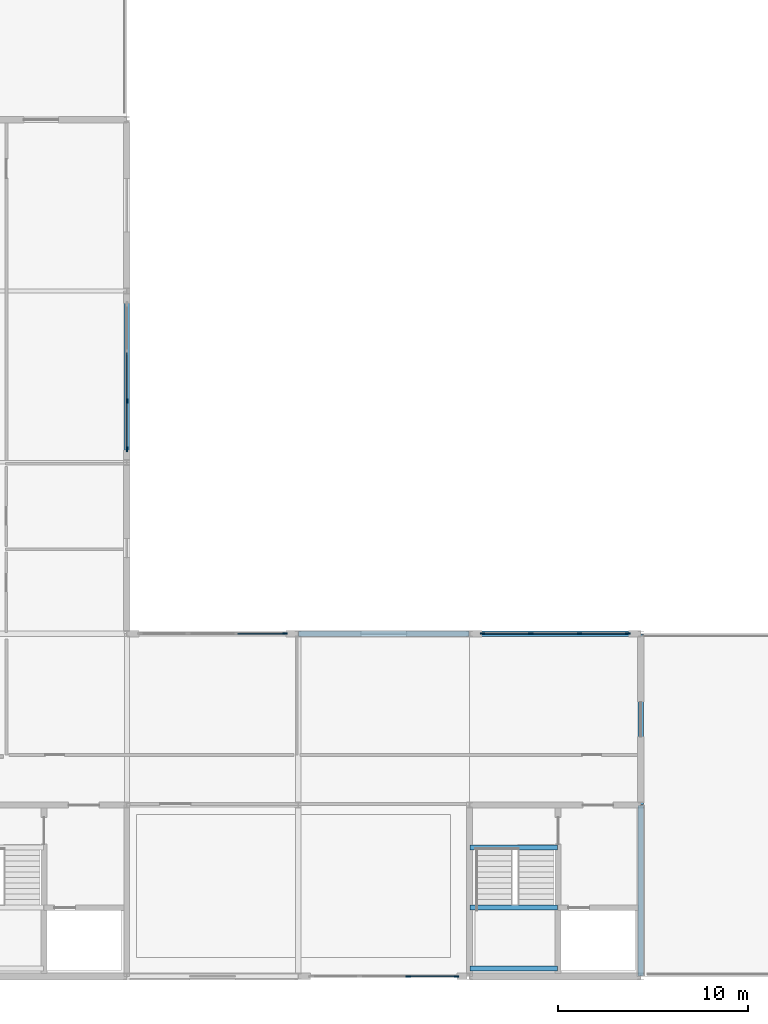
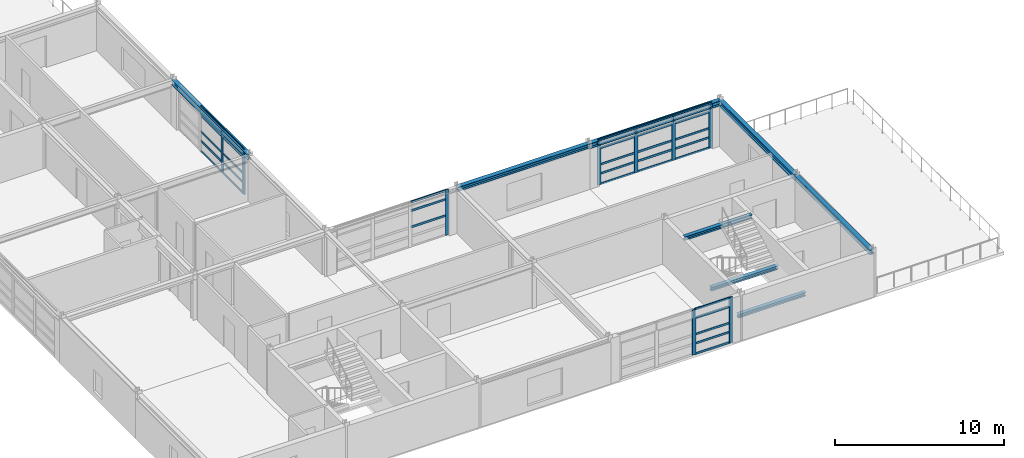
# One storey, part 5 of 11: 42 members, 8 beams, 4 elements without a shape of their own.
"""IFC4 building model written with IfcOpenShell, lengths in metres."""

from ifc_helpers import new_model, si_unit, direction, frame, origin, origin_2d, place, context, subcontext, project, spatial, rectangle, i_section, extrude, material, material_profile, profile_set, type_object, element, aggregate, save


model = new_model("IFC4")

# Units and contexts
model_context = context("Model", 3, precision=1e-05, world=origin(), true_north=direction((0.0, 1.0)))
body_context = subcontext(model_context, "Body", "Model", "MODEL_VIEW")
ifc_project = project(units=[si_unit("LENGTHUNIT", "METRE"), si_unit("AREAUNIT", "SQUARE_METRE"), si_unit("VOLUMEUNIT", "CUBIC_METRE"), si_unit("PLANEANGLEUNIT", "RADIAN"), si_unit("MASSUNIT", "GRAM", prefix="KILO")], contexts=[model_context])

# Site, building, storey
site_placement = place(None, origin())
site = spatial("IfcSite", under=ifc_project, at=site_placement, CompositionType="ELEMENT")
building_placement = place(site_placement, origin())
building = spatial("IfcBuilding", under=site, at=building_placement, Name="Palais des Congres Ocreval", CompositionType="ELEMENT")
storey_placement = place(building_placement, frame((0.0, 0.0, 26.8798828125)))
storey = spatial("IfcBuildingStorey", under=building, at=storey_placement, Name="L08", CompositionType="ELEMENT", Elevation=26.8798828125)

# Curtain wall, members
ifc_material_1 = material(Name="Anodized bronze aluminium and low-E glass", Category="glass")
curtain_wall_type = type_object("IfcCurtainWallType", Name="Unitised Curtain Wall 7900x3280", PredefinedType="USERDEFINED", material=ifc_material_1)
curtain_wall_1_placement = place(storey_placement, origin())
curtain_wall_1 = element("IfcCurtainWall", 1, at=curtain_wall_1_placement, inside=storey, type_object=curtain_wall_type, Name="Unitised Curtain Wall CW06 L08", ObjectType="UNITISED CURTAIN WALL", PredefinedType="USERDEFINED")
ifc_material_2 = material(Name="Anodized bronze aluminium", Category="aluminium")
ifc_material_profile_1 = material_profile(ifc_material_2, rectangle(XDim=0.074951171875, YDim=0.239990234375, at=origin_2d()), Name="ALU 75x240")
ifc_profile_set_1 = profile_set([ifc_material_profile_1], Name="Anodized bronze aluminium")
member_type_1 = type_object("IfcMemberType", Name="Curtain Wall Mullion ALU 75x240", PredefinedType="MULLION", material=ifc_profile_set_1)
member_1_placement = place(storey_placement, frame((35.3125, 0.0, 0.0), z_axis=(0.0, 0.0, 1.0), x_axis=(0.0, -1.0, 0.0)))
member_1 = element("IfcMember", 2, at=member_1_placement, type_object=member_type_1, Name="Curtain Wall Mullion ML01", PredefinedType="MULLION", context=body_context, shape_type="SweptSolid", body=[
    extrude(rectangle(XDim=0.074951171875, YDim=0.239990234375, at=origin_2d()), origin(), (0.0, 0.0, 1.0), 3.27001953125),
])
member_2_placement = place(storey_placement, frame((32.783203125, 0.0, 0.0), z_axis=(0.0, 0.0, 1.0), x_axis=(0.0, -1.0, 0.0)))
member_2 = element("IfcMember", 3, at=member_2_placement, type_object=member_type_1, Name="Curtain Wall Mullion ML01", PredefinedType="MULLION", context=body_context, shape_type="SweptSolid", body=[
    extrude(rectangle(XDim=0.074951171875, YDim=0.239990234375, at=origin_2d()), origin(), (0.0, 0.0, 1.0), 3.27001953125),
])

curtain_wall_2_placement = place(storey_placement, origin())
curtain_wall_2 = element("IfcCurtainWall", 4, at=curtain_wall_2_placement, inside=storey, type_object=curtain_wall_type, Name="Unitised Curtain Wall CW06 L08", ObjectType="UNITISED CURTAIN WALL", PredefinedType="USERDEFINED")
member_3_placement = place(storey_placement, frame((18.0, 30.216796875, 0.0), z_axis=(0.0, 0.0, 1.0), x_axis=(1.0, 0.0, 0.0)))
member_3 = element("IfcMember", 5, at=member_3_placement, type_object=member_type_1, Name="Curtain Wall Mullion ML01", PredefinedType="MULLION", context=body_context, shape_type="SweptSolid", body=[
    extrude(rectangle(XDim=0.074951171875, YDim=0.239990234375, at=origin_2d()), origin(), (0.0, 0.0, 1.0), 3.27001953125),
])
member_4_placement = place(storey_placement, frame((18.0, 27.6875, 0.0), z_axis=(0.0, 0.0, 1.0), x_axis=(1.0, 0.0, 0.0)))
member_4 = element("IfcMember", 6, at=member_4_placement, type_object=member_type_1, Name="Curtain Wall Mullion ML01", PredefinedType="MULLION", context=body_context, shape_type="SweptSolid", body=[
    extrude(rectangle(XDim=0.074951171875, YDim=0.239990234375, at=origin_2d()), origin(), (0.0, 0.0, 1.0), 3.27001953125),
])

# Curtain wall, member
curtain_wall_3_placement = place(storey_placement, origin())
curtain_wall_3 = element("IfcCurtainWall", 7, at=curtain_wall_3_placement, inside=storey, type_object=curtain_wall_type, Name="Unitised Curtain Wall CW06 L08", ObjectType="UNITISED CURTAIN WALL", PredefinedType="USERDEFINED")
member_5_placement = place(storey_placement, frame((26.3125, 18.0, 0.0), z_axis=(0.0, 0.0, 1.0), x_axis=(0.0, 1.0, 0.0)))
member_5 = element("IfcMember", 8, at=member_5_placement, type_object=member_type_1, Name="Curtain Wall Mullion ML01", PredefinedType="MULLION", context=body_context, shape_type="SweptSolid", body=[
    extrude(rectangle(XDim=0.074951171875, YDim=0.239990234375, at=origin_2d()), origin(), (0.0, 0.0, 1.0), 3.27001953125),
])

# Curtain wall, members
curtain_wall_4_placement = place(storey_placement, origin())
curtain_wall_4 = element("IfcCurtainWall", 9, at=curtain_wall_4_placement, inside=storey, type_object=curtain_wall_type, Name="Unitised Curtain Wall CW06 L08", ObjectType="UNITISED CURTAIN WALL", PredefinedType="USERDEFINED")
member_6_placement = place(storey_placement, frame((36.6875, 18.0, 0.0), z_axis=(0.0, 0.0, 1.0), x_axis=(0.0, 1.0, 0.0)))
member_6 = element("IfcMember", 10, at=member_6_placement, type_object=member_type_1, Name="Curtain Wall Mullion ML01", PredefinedType="MULLION", context=body_context, shape_type="SweptSolid", body=[
    extrude(rectangle(XDim=0.074951171875, YDim=0.239990234375, at=origin_2d()), origin(), (0.0, 0.0, 1.0), 3.27001953125),
])
member_7_placement = place(storey_placement, frame((39.216796875, 18.0, 0.0), z_axis=(0.0, 0.0, 1.0), x_axis=(0.0, 1.0, 0.0)))
member_7 = element("IfcMember", 11, at=member_7_placement, type_object=member_type_1, Name="Curtain Wall Mullion ML01", PredefinedType="MULLION", context=body_context, shape_type="SweptSolid", body=[
    extrude(rectangle(XDim=0.074951171875, YDim=0.239990234375, at=origin_2d()), origin(), (0.0, 0.0, 1.0), 3.27001953125),
])
member_8_placement = place(storey_placement, frame((41.783203125, 18.0, 0.0), z_axis=(0.0, 0.0, 1.0), x_axis=(0.0, 1.0, 0.0)))
member_8 = element("IfcMember", 12, at=member_8_placement, type_object=member_type_1, Name="Curtain Wall Mullion ML01", PredefinedType="MULLION", context=body_context, shape_type="SweptSolid", body=[
    extrude(rectangle(XDim=0.074951171875, YDim=0.239990234375, at=origin_2d()), origin(), (0.0, 0.0, 1.0), 3.27001953125),
])
member_9_placement = place(storey_placement, frame((44.3125, 18.0, 0.0), z_axis=(0.0, 0.0, 1.0), x_axis=(0.0, 1.0, 0.0)))
member_9 = element("IfcMember", 13, at=member_9_placement, type_object=member_type_1, Name="Curtain Wall Mullion ML01", PredefinedType="MULLION", context=body_context, shape_type="SweptSolid", body=[
    extrude(rectangle(XDim=0.074951171875, YDim=0.239990234375, at=origin_2d()), origin(), (0.0, 0.0, 1.0), 3.27001953125),
])

# Member
ifc_material_profile_2 = material_profile(ifc_material_2, rectangle(XDim=0.06005859375, YDim=0.14990234375, at=origin_2d()), Name="ALU 60x150")
ifc_profile_set_2 = profile_set([ifc_material_profile_2], Name="Anodized bronze aluminium")
member_type_2 = type_object("IfcMemberType", Name="Curtain Wall Transom ALU 60x150", PredefinedType="USERDEFINED", material=ifc_profile_set_2)
member_10_placement = place(storey_placement, frame((35.27490234375, 0.0, 0.030029296875), z_axis=(-1.0, 0.0, 0.0), x_axis=(0.0, -1.0, 0.0)))
member_10 = element("IfcMember", 14, at=member_10_placement, type_object=member_type_2, Name="Curtain Wall Transom TR01", ObjectType="TRANSOM", PredefinedType="USERDEFINED", context=body_context, shape_type="SweptSolid", body=[
    extrude(rectangle(XDim=0.06005859375, YDim=0.14990234375, at=origin_2d()), origin(), (0.0, 0.0, 1.0), 2.4541015625),
])

member_11_placement = place(storey_placement, frame((35.27490234375, 0.0, 0.780029296875), z_axis=(-1.0, 0.0, 0.0), x_axis=(0.0, -1.0, 0.0)))
member_11 = element("IfcMember", 15, at=member_11_placement, type_object=member_type_2, Name="Curtain Wall Transom TR01", ObjectType="TRANSOM", PredefinedType="USERDEFINED", context=body_context, shape_type="SweptSolid", body=[
    extrude(rectangle(XDim=0.06005859375, YDim=0.14990234375, at=origin_2d()), origin(), (0.0, 0.0, 1.0), 2.4541015625),
])

member_12_placement = place(storey_placement, frame((35.27490234375, 0.0, 1.441162109375), z_axis=(-1.0, 0.0, 0.0), x_axis=(0.0, -1.0, 0.0)))
member_12 = element("IfcMember", 16, at=member_12_placement, type_object=member_type_2, Name="Curtain Wall Transom TR01", ObjectType="TRANSOM", PredefinedType="USERDEFINED", context=body_context, shape_type="SweptSolid", body=[
    extrude(rectangle(XDim=0.06005859375, YDim=0.14990234375, at=origin_2d()), origin(), (0.0, 0.0, 1.0), 2.4541015625),
])

member_13_placement = place(storey_placement, frame((35.27490234375, 0.0, 2.6201171875), z_axis=(-1.0, 0.0, 0.0), x_axis=(0.0, -1.0, 0.0)))
member_13 = element("IfcMember", 17, at=member_13_placement, type_object=member_type_2, Name="Curtain Wall Transom TR01", ObjectType="TRANSOM", PredefinedType="USERDEFINED", context=body_context, shape_type="SweptSolid", body=[
    extrude(rectangle(XDim=0.06005859375, YDim=0.14990234375, at=origin_2d()), origin(), (0.0, 0.0, 1.0), 2.4541015625),
])

member_14_placement = place(storey_placement, frame((35.27490234375, 0.0, 3.240234375), z_axis=(-1.0, 0.0, 0.0), x_axis=(0.0, -1.0, 0.0)))
member_14 = element("IfcMember", 18, at=member_14_placement, type_object=member_type_2, Name="Curtain Wall Transom TR01", ObjectType="TRANSOM", PredefinedType="USERDEFINED", context=body_context, shape_type="SweptSolid", body=[
    extrude(rectangle(XDim=0.06005859375, YDim=0.14990234375, at=origin_2d()), origin(), (0.0, 0.0, 1.0), 2.4541015625),
])

aggregate(curtain_wall_1, [member_1, member_2, member_10, member_11, member_12, member_13, member_14])

member_15_placement = place(storey_placement, frame((18.0, 32.745849609375, 0.030029296875), z_axis=(0.0, -1.0, 0.0), x_axis=(1.0, 0.0, 0.0)))
member_15 = element("IfcMember", 19, at=member_15_placement, type_object=member_type_2, Name="Curtain Wall Transom TR01", ObjectType="TRANSOM", PredefinedType="USERDEFINED", context=body_context, shape_type="SweptSolid", body=[
    extrude(rectangle(XDim=0.06005859375, YDim=0.14990234375, at=origin_2d()), origin(), (0.0, 0.0, 1.0), 2.49169921875),
])

member_16_placement = place(storey_placement, frame((18.0, 32.745849609375, 0.780029296875), z_axis=(0.0, -1.0, 0.0), x_axis=(1.0, 0.0, 0.0)))
member_16 = element("IfcMember", 20, at=member_16_placement, type_object=member_type_2, Name="Curtain Wall Transom TR01", ObjectType="TRANSOM", PredefinedType="USERDEFINED", context=body_context, shape_type="SweptSolid", body=[
    extrude(rectangle(XDim=0.06005859375, YDim=0.14990234375, at=origin_2d()), origin(), (0.0, 0.0, 1.0), 2.49169921875),
])

member_17_placement = place(storey_placement, frame((18.0, 32.745849609375, 1.441162109375), z_axis=(0.0, -1.0, 0.0), x_axis=(1.0, 0.0, 0.0)))
member_17 = element("IfcMember", 21, at=member_17_placement, type_object=member_type_2, Name="Curtain Wall Transom TR01", ObjectType="TRANSOM", PredefinedType="USERDEFINED", context=body_context, shape_type="SweptSolid", body=[
    extrude(rectangle(XDim=0.06005859375, YDim=0.14990234375, at=origin_2d()), origin(), (0.0, 0.0, 1.0), 2.49169921875),
])

member_18_placement = place(storey_placement, frame((18.0, 32.745849609375, 2.6201171875), z_axis=(0.0, -1.0, 0.0), x_axis=(1.0, 0.0, 0.0)))
member_18 = element("IfcMember", 22, at=member_18_placement, type_object=member_type_2, Name="Curtain Wall Transom TR01", ObjectType="TRANSOM", PredefinedType="USERDEFINED", context=body_context, shape_type="SweptSolid", body=[
    extrude(rectangle(XDim=0.06005859375, YDim=0.14990234375, at=origin_2d()), origin(), (0.0, 0.0, 1.0), 2.49169921875),
])

member_19_placement = place(storey_placement, frame((18.0, 32.745849609375, 3.240234375), z_axis=(0.0, -1.0, 0.0), x_axis=(1.0, 0.0, 0.0)))
member_19 = element("IfcMember", 23, at=member_19_placement, type_object=member_type_2, Name="Curtain Wall Transom TR01", ObjectType="TRANSOM", PredefinedType="USERDEFINED", context=body_context, shape_type="SweptSolid", body=[
    extrude(rectangle(XDim=0.06005859375, YDim=0.14990234375, at=origin_2d()), origin(), (0.0, 0.0, 1.0), 2.49169921875),
])

member_20_placement = place(storey_placement, frame((18.0, 30.17919921875, 0.030029296875), z_axis=(0.0, -1.0, 0.0), x_axis=(1.0, 0.0, 0.0)))
member_20 = element("IfcMember", 24, at=member_20_placement, type_object=member_type_2, Name="Curtain Wall Transom TR01", ObjectType="TRANSOM", PredefinedType="USERDEFINED", context=body_context, shape_type="SweptSolid", body=[
    extrude(rectangle(XDim=0.06005859375, YDim=0.14990234375, at=origin_2d()), origin(), (0.0, 0.0, 1.0), 2.4541015625),
])

member_21_placement = place(storey_placement, frame((18.0, 30.17919921875, 0.780029296875), z_axis=(0.0, -1.0, 0.0), x_axis=(1.0, 0.0, 0.0)))
member_21 = element("IfcMember", 25, at=member_21_placement, type_object=member_type_2, Name="Curtain Wall Transom TR01", ObjectType="TRANSOM", PredefinedType="USERDEFINED", context=body_context, shape_type="SweptSolid", body=[
    extrude(rectangle(XDim=0.06005859375, YDim=0.14990234375, at=origin_2d()), origin(), (0.0, 0.0, 1.0), 2.4541015625),
])

member_22_placement = place(storey_placement, frame((18.0, 30.17919921875, 1.441162109375), z_axis=(0.0, -1.0, 0.0), x_axis=(1.0, 0.0, 0.0)))
member_22 = element("IfcMember", 26, at=member_22_placement, type_object=member_type_2, Name="Curtain Wall Transom TR01", ObjectType="TRANSOM", PredefinedType="USERDEFINED", context=body_context, shape_type="SweptSolid", body=[
    extrude(rectangle(XDim=0.06005859375, YDim=0.14990234375, at=origin_2d()), origin(), (0.0, 0.0, 1.0), 2.4541015625),
])

member_23_placement = place(storey_placement, frame((18.0, 30.17919921875, 2.6201171875), z_axis=(0.0, -1.0, 0.0), x_axis=(1.0, 0.0, 0.0)))
member_23 = element("IfcMember", 27, at=member_23_placement, type_object=member_type_2, Name="Curtain Wall Transom TR01", ObjectType="TRANSOM", PredefinedType="USERDEFINED", context=body_context, shape_type="SweptSolid", body=[
    extrude(rectangle(XDim=0.06005859375, YDim=0.14990234375, at=origin_2d()), origin(), (0.0, 0.0, 1.0), 2.4541015625),
])

member_24_placement = place(storey_placement, frame((18.0, 30.17919921875, 3.240234375), z_axis=(0.0, -1.0, 0.0), x_axis=(1.0, 0.0, 0.0)))
member_24 = element("IfcMember", 28, at=member_24_placement, type_object=member_type_2, Name="Curtain Wall Transom TR01", ObjectType="TRANSOM", PredefinedType="USERDEFINED", context=body_context, shape_type="SweptSolid", body=[
    extrude(rectangle(XDim=0.06005859375, YDim=0.14990234375, at=origin_2d()), origin(), (0.0, 0.0, 1.0), 2.4541015625),
])

aggregate(curtain_wall_2, [member_3, member_4, member_15, member_16, member_17, member_18, member_19, member_20, member_21, member_22, member_23, member_24])

member_25_placement = place(storey_placement, frame((23.82080078125, 18.0, 1.441162109375), z_axis=(1.0, 0.0, 0.0), x_axis=(0.0, 1.0, 0.0)))
member_25 = element("IfcMember", 29, at=member_25_placement, type_object=member_type_2, Name="Curtain Wall Transom TR01", ObjectType="TRANSOM", PredefinedType="USERDEFINED", context=body_context, shape_type="SweptSolid", body=[
    extrude(rectangle(XDim=0.06005859375, YDim=0.14990234375, at=origin_2d()), origin(), (0.0, 0.0, 1.0), 2.4541015625),
])

member_26_placement = place(storey_placement, frame((23.82080078125, 18.0, 2.6201171875), z_axis=(1.0, 0.0, 0.0), x_axis=(0.0, 1.0, 0.0)))
member_26 = element("IfcMember", 30, at=member_26_placement, type_object=member_type_2, Name="Curtain Wall Transom TR01", ObjectType="TRANSOM", PredefinedType="USERDEFINED", context=body_context, shape_type="SweptSolid", body=[
    extrude(rectangle(XDim=0.06005859375, YDim=0.14990234375, at=origin_2d()), origin(), (0.0, 0.0, 1.0), 2.4541015625),
])

member_27_placement = place(storey_placement, frame((23.82080078125, 18.0, 3.240234375), z_axis=(1.0, 0.0, 0.0), x_axis=(0.0, 1.0, 0.0)))
member_27 = element("IfcMember", 31, at=member_27_placement, type_object=member_type_2, Name="Curtain Wall Transom TR01", ObjectType="TRANSOM", PredefinedType="USERDEFINED", context=body_context, shape_type="SweptSolid", body=[
    extrude(rectangle(XDim=0.06005859375, YDim=0.14990234375, at=origin_2d()), origin(), (0.0, 0.0, 1.0), 2.4541015625),
])

aggregate(curtain_wall_3, [member_5, member_25, member_26, member_27])

member_28_placement = place(storey_placement, frame((36.72509765625, 18.0, 0.030029296875), z_axis=(1.0, 0.0, 0.0), x_axis=(0.0, 1.0, 0.0)))
member_28 = element("IfcMember", 32, at=member_28_placement, type_object=member_type_2, Name="Curtain Wall Transom TR01", ObjectType="TRANSOM", PredefinedType="USERDEFINED", context=body_context, shape_type="SweptSolid", body=[
    extrude(rectangle(XDim=0.06005859375, YDim=0.14990234375, at=origin_2d()), origin(), (0.0, 0.0, 1.0), 2.4541015625),
])

member_29_placement = place(storey_placement, frame((36.72509765625, 18.0, 0.780029296875), z_axis=(1.0, 0.0, 0.0), x_axis=(0.0, 1.0, 0.0)))
member_29 = element("IfcMember", 33, at=member_29_placement, type_object=member_type_2, Name="Curtain Wall Transom TR01", ObjectType="TRANSOM", PredefinedType="USERDEFINED", context=body_context, shape_type="SweptSolid", body=[
    extrude(rectangle(XDim=0.06005859375, YDim=0.14990234375, at=origin_2d()), origin(), (0.0, 0.0, 1.0), 2.4541015625),
])

member_30_placement = place(storey_placement, frame((36.72509765625, 18.0, 1.441162109375), z_axis=(1.0, 0.0, 0.0), x_axis=(0.0, 1.0, 0.0)))
member_30 = element("IfcMember", 34, at=member_30_placement, type_object=member_type_2, Name="Curtain Wall Transom TR01", ObjectType="TRANSOM", PredefinedType="USERDEFINED", context=body_context, shape_type="SweptSolid", body=[
    extrude(rectangle(XDim=0.06005859375, YDim=0.14990234375, at=origin_2d()), origin(), (0.0, 0.0, 1.0), 2.4541015625),
])

member_31_placement = place(storey_placement, frame((36.72509765625, 18.0, 2.6201171875), z_axis=(1.0, 0.0, 0.0), x_axis=(0.0, 1.0, 0.0)))
member_31 = element("IfcMember", 35, at=member_31_placement, type_object=member_type_2, Name="Curtain Wall Transom TR01", ObjectType="TRANSOM", PredefinedType="USERDEFINED", context=body_context, shape_type="SweptSolid", body=[
    extrude(rectangle(XDim=0.06005859375, YDim=0.14990234375, at=origin_2d()), origin(), (0.0, 0.0, 1.0), 2.4541015625),
])

member_32_placement = place(storey_placement, frame((36.72509765625, 18.0, 3.240234375), z_axis=(1.0, 0.0, 0.0), x_axis=(0.0, 1.0, 0.0)))
member_32 = element("IfcMember", 36, at=member_32_placement, type_object=member_type_2, Name="Curtain Wall Transom TR01", ObjectType="TRANSOM", PredefinedType="USERDEFINED", context=body_context, shape_type="SweptSolid", body=[
    extrude(rectangle(XDim=0.06005859375, YDim=0.14990234375, at=origin_2d()), origin(), (0.0, 0.0, 1.0), 2.4541015625),
])

member_33_placement = place(storey_placement, frame((39.254150390625, 18.0, 0.030029296875), z_axis=(1.0, 0.0, 0.0), x_axis=(0.0, 1.0, 0.0)))
member_33 = element("IfcMember", 37, at=member_33_placement, type_object=member_type_2, Name="Curtain Wall Transom TR01", ObjectType="TRANSOM", PredefinedType="USERDEFINED", context=body_context, shape_type="SweptSolid", body=[
    extrude(rectangle(XDim=0.06005859375, YDim=0.14990234375, at=origin_2d()), origin(), (0.0, 0.0, 1.0), 2.49169921875),
])

member_34_placement = place(storey_placement, frame((39.254150390625, 18.0, 0.780029296875), z_axis=(1.0, 0.0, 0.0), x_axis=(0.0, 1.0, 0.0)))
member_34 = element("IfcMember", 38, at=member_34_placement, type_object=member_type_2, Name="Curtain Wall Transom TR01", ObjectType="TRANSOM", PredefinedType="USERDEFINED", context=body_context, shape_type="SweptSolid", body=[
    extrude(rectangle(XDim=0.06005859375, YDim=0.14990234375, at=origin_2d()), origin(), (0.0, 0.0, 1.0), 2.49169921875),
])

member_35_placement = place(storey_placement, frame((39.254150390625, 18.0, 1.441162109375), z_axis=(1.0, 0.0, 0.0), x_axis=(0.0, 1.0, 0.0)))
member_35 = element("IfcMember", 39, at=member_35_placement, type_object=member_type_2, Name="Curtain Wall Transom TR01", ObjectType="TRANSOM", PredefinedType="USERDEFINED", context=body_context, shape_type="SweptSolid", body=[
    extrude(rectangle(XDim=0.06005859375, YDim=0.14990234375, at=origin_2d()), origin(), (0.0, 0.0, 1.0), 2.49169921875),
])

member_36_placement = place(storey_placement, frame((39.254150390625, 18.0, 2.6201171875), z_axis=(1.0, 0.0, 0.0), x_axis=(0.0, 1.0, 0.0)))
member_36 = element("IfcMember", 40, at=member_36_placement, type_object=member_type_2, Name="Curtain Wall Transom TR01", ObjectType="TRANSOM", PredefinedType="USERDEFINED", context=body_context, shape_type="SweptSolid", body=[
    extrude(rectangle(XDim=0.06005859375, YDim=0.14990234375, at=origin_2d()), origin(), (0.0, 0.0, 1.0), 2.49169921875),
])

member_37_placement = place(storey_placement, frame((39.254150390625, 18.0, 3.240234375), z_axis=(1.0, 0.0, 0.0), x_axis=(0.0, 1.0, 0.0)))
member_37 = element("IfcMember", 41, at=member_37_placement, type_object=member_type_2, Name="Curtain Wall Transom TR01", ObjectType="TRANSOM", PredefinedType="USERDEFINED", context=body_context, shape_type="SweptSolid", body=[
    extrude(rectangle(XDim=0.06005859375, YDim=0.14990234375, at=origin_2d()), origin(), (0.0, 0.0, 1.0), 2.49169921875),
])

member_38_placement = place(storey_placement, frame((41.82080078125, 18.0, 0.030029296875), z_axis=(1.0, 0.0, 0.0), x_axis=(0.0, 1.0, 0.0)))
member_38 = element("IfcMember", 42, at=member_38_placement, type_object=member_type_2, Name="Curtain Wall Transom TR01", ObjectType="TRANSOM", PredefinedType="USERDEFINED", context=body_context, shape_type="SweptSolid", body=[
    extrude(rectangle(XDim=0.06005859375, YDim=0.14990234375, at=origin_2d()), origin(), (0.0, 0.0, 1.0), 2.4541015625),
])

member_39_placement = place(storey_placement, frame((41.82080078125, 18.0, 0.780029296875), z_axis=(1.0, 0.0, 0.0), x_axis=(0.0, 1.0, 0.0)))
member_39 = element("IfcMember", 43, at=member_39_placement, type_object=member_type_2, Name="Curtain Wall Transom TR01", ObjectType="TRANSOM", PredefinedType="USERDEFINED", context=body_context, shape_type="SweptSolid", body=[
    extrude(rectangle(XDim=0.06005859375, YDim=0.14990234375, at=origin_2d()), origin(), (0.0, 0.0, 1.0), 2.4541015625),
])

member_40_placement = place(storey_placement, frame((41.82080078125, 18.0, 1.441162109375), z_axis=(1.0, 0.0, 0.0), x_axis=(0.0, 1.0, 0.0)))
member_40 = element("IfcMember", 44, at=member_40_placement, type_object=member_type_2, Name="Curtain Wall Transom TR01", ObjectType="TRANSOM", PredefinedType="USERDEFINED", context=body_context, shape_type="SweptSolid", body=[
    extrude(rectangle(XDim=0.06005859375, YDim=0.14990234375, at=origin_2d()), origin(), (0.0, 0.0, 1.0), 2.4541015625),
])

member_41_placement = place(storey_placement, frame((41.82080078125, 18.0, 2.6201171875), z_axis=(1.0, 0.0, 0.0), x_axis=(0.0, 1.0, 0.0)))
member_41 = element("IfcMember", 45, at=member_41_placement, type_object=member_type_2, Name="Curtain Wall Transom TR01", ObjectType="TRANSOM", PredefinedType="USERDEFINED", context=body_context, shape_type="SweptSolid", body=[
    extrude(rectangle(XDim=0.06005859375, YDim=0.14990234375, at=origin_2d()), origin(), (0.0, 0.0, 1.0), 2.4541015625),
])

member_42_placement = place(storey_placement, frame((41.82080078125, 18.0, 3.240234375), z_axis=(1.0, 0.0, 0.0), x_axis=(0.0, 1.0, 0.0)))
member_42 = element("IfcMember", 46, at=member_42_placement, type_object=member_type_2, Name="Curtain Wall Transom TR01", ObjectType="TRANSOM", PredefinedType="USERDEFINED", context=body_context, shape_type="SweptSolid", body=[
    extrude(rectangle(XDim=0.06005859375, YDim=0.14990234375, at=origin_2d()), origin(), (0.0, 0.0, 1.0), 2.4541015625),
])

aggregate(curtain_wall_4, [member_6, member_7, member_8, member_9, member_28, member_29, member_30, member_31, member_32, member_33, member_34, member_35, member_36, member_37, member_38, member_39, member_40, member_41, member_42])

# Beams
ifc_material_3 = material(Name="Steel S355", Category="steel")
ifc_material_profile_3 = material_profile(ifc_material_3, i_section(OverallWidth=0.260009765625, OverallDepth=0.260009765625, WebThickness=0.010009765625, FlangeThickness=0.017578125, at=origin_2d()), Name="HEB 260")
ifc_profile_set_3 = profile_set([ifc_material_profile_3], Name="Steel S355")
beam_type_1 = type_object("IfcBeamType", Name="Opening Lintel HEB 260 Steel S355", PredefinedType="LINTEL", material=ifc_profile_set_3)
for number, where, z_axis, x_axis, name in (
    (47, (36.02001953125, 0.419921875, 1.43017578125), (1.0, 0.0, 0.0), (0.0, 1.0, 0.0), "Stair Landing Support Beam ST02 L08-1"),
    (48, (36.02001953125, 3.6298828125, 1.43017578125), (1.0, 0.0, 0.0), (0.0, 1.0, 0.0), "Stair Landing Support Beam ST02 L08-2"),
    (49, (36.02001953125, 6.77001953125, 3.190185546875), (1.0, 0.0, 0.0), (0.0, 1.0, 0.0), "Roof Landing Support Beam ST02"),
):
    element("IfcBeam", number, at=place(storey_placement, frame(where, z_axis=z_axis, x_axis=x_axis)), inside=storey, type_object=beam_type_1, Name=name, PredefinedType="LINTEL", context=body_context, shape_type="SweptSolid", body=[
        extrude(i_section(OverallWidth=0.260009765625, OverallDepth=0.260009765625, WebThickness=0.010009765625, FlangeThickness=0.017578125, at=origin_2d()), origin(), (0.0, 0.0, 1.0), 4.60986328125),
    ])
ifc_material_profile_4 = material_profile(ifc_material_3, i_section(OverallWidth=0.300048828125, OverallDepth=0.300048828125, WebThickness=0.010986328125, FlangeThickness=0.01904296875, at=origin_2d()), Name="HEB 300")
ifc_profile_set_4 = profile_set([ifc_material_profile_4], Name="Steel S355")
beam_type_2 = type_object("IfcBeamType", Name="Perimeter Spandrel HEB 300 Steel S355", PredefinedType="SPANDREL", material=ifc_profile_set_4)
beam_1_placement = place(storey_placement, frame((27.02001953125, 18.0, 3.1201171875), z_axis=(1.0, 0.0, 0.0), x_axis=(0.0, 1.0, 0.0)))
element("IfcBeam", 50, at=beam_1_placement, inside=storey, type_object=beam_type_2, Name="Beam SP02 L08", PredefinedType="SPANDREL", context=body_context, shape_type="SweptSolid", body=[
    extrude(i_section(OverallWidth=0.300048828125, OverallDepth=0.300048828125, WebThickness=0.010986328125, FlangeThickness=0.01904296875, at=origin_2d()), origin(), (0.0, 0.0, 1.0), 8.9599609375),
])
ifc_material_profile_5 = material_profile(ifc_material_3, i_section(OverallWidth=0.300048828125, OverallDepth=0.360107421875, WebThickness=0.012451171875, FlangeThickness=0.0224609375, at=origin_2d()), Name="HEB 360")
ifc_profile_set_5 = profile_set([ifc_material_profile_5], Name="Steel S355")
beam_type_3 = type_object("IfcBeamType", Name="Perimeter Spandrel HEB 360 Steel S355", PredefinedType="SPANDREL", material=ifc_profile_set_5)
for number, where, z_axis, x_axis, name in (
    (51, (18.0, 27.02001953125, 3.090087890625), (0.0, 1.0, 0.0), (-1.0, 0.0, 0.0), "Girder SP03 L08"),
    (52, (36.02001953125, 18.0, 3.090087890625), (1.0, 0.0, 0.0), (0.0, 1.0, 0.0), "Beam SP03 L08"),
):
    element("IfcBeam", number, at=place(storey_placement, frame(where, z_axis=z_axis, x_axis=x_axis)), inside=storey, type_object=beam_type_3, Name=name, PredefinedType="SPANDREL", context=body_context, shape_type="SweptSolid", body=[
        extrude(i_section(OverallWidth=0.300048828125, OverallDepth=0.360107421875, WebThickness=0.012451171875, FlangeThickness=0.0224609375, at=origin_2d()), origin(), (0.0, 0.0, 1.0), 8.9599609375),
    ])
ifc_material_profile_6 = material_profile(ifc_material_3, i_section(OverallWidth=0.300048828125, OverallDepth=0.330078125, WebThickness=0.009521484375, FlangeThickness=0.0166015625, at=origin_2d()), Name="HEA 340")
ifc_profile_set_6 = profile_set([ifc_material_profile_6], Name="Steel S355")
beam_type_4 = type_object("IfcBeamType", Name="Primary Beam HEA 340 Steel S355", PredefinedType="BEAM", material=ifc_profile_set_6)
beam_2_placement = place(storey_placement, frame((45.0, 0.02001953125, 3.105224609375), z_axis=(0.0, 1.0, 0.0), x_axis=(-1.0, 0.0, 0.0)))
element("IfcBeam", 53, at=beam_2_placement, inside=storey, type_object=beam_type_4, Name="Girder B09 L08", PredefinedType="BEAM", context=body_context, shape_type="SweptSolid", body=[
    extrude(i_section(OverallWidth=0.300048828125, OverallDepth=0.330078125, WebThickness=0.009521484375, FlangeThickness=0.0166015625, at=origin_2d()), origin(), (0.0, 0.0, 1.0), 8.9599609375),
])
ifc_material_profile_7 = material_profile(ifc_material_3, i_section(OverallWidth=0.300048828125, OverallDepth=0.389892578125, WebThickness=0.010986328125, FlangeThickness=0.01904296875, at=origin_2d()), Name="HEA 400")
ifc_profile_set_7 = profile_set([ifc_material_profile_7], Name="Steel S355")
beam_type_5 = type_object("IfcBeamType", Name="Primary Beam HEA 400 Steel S355", PredefinedType="BEAM", material=ifc_profile_set_7)
beam_3_placement = place(storey_placement, frame((45.0, 9.02001953125, 3.0751953125), z_axis=(0.0, 1.0, 0.0), x_axis=(-1.0, 0.0, 0.0)))
element("IfcBeam", 54, at=beam_3_placement, inside=storey, type_object=beam_type_5, Name="Girder B10 L08", PredefinedType="BEAM", context=body_context, shape_type="SweptSolid", body=[
    extrude(i_section(OverallWidth=0.300048828125, OverallDepth=0.389892578125, WebThickness=0.010986328125, FlangeThickness=0.01904296875, at=origin_2d()), origin(), (0.0, 0.0, 1.0), 8.9599609375),
])

save(model, "model.ifc")
